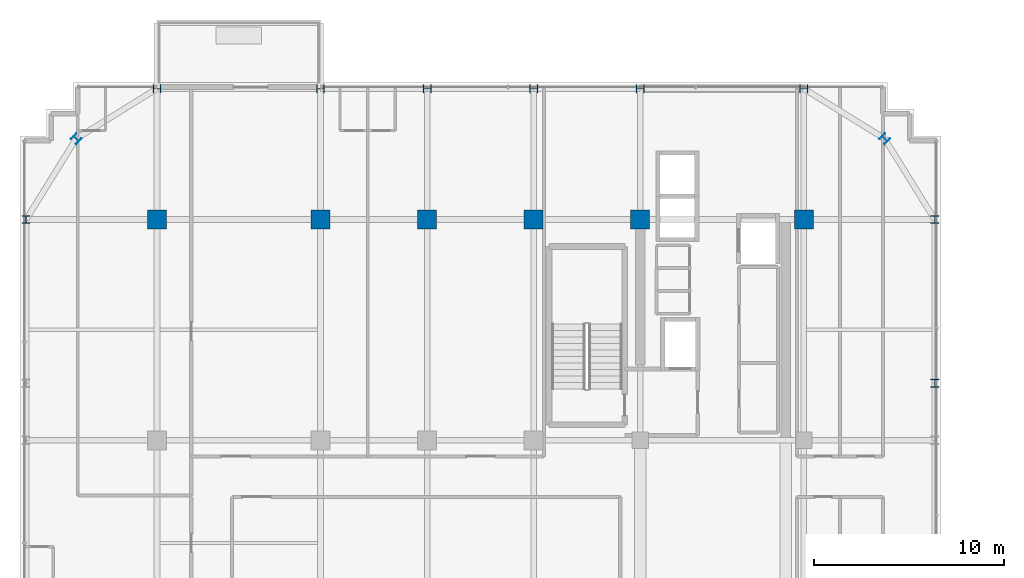
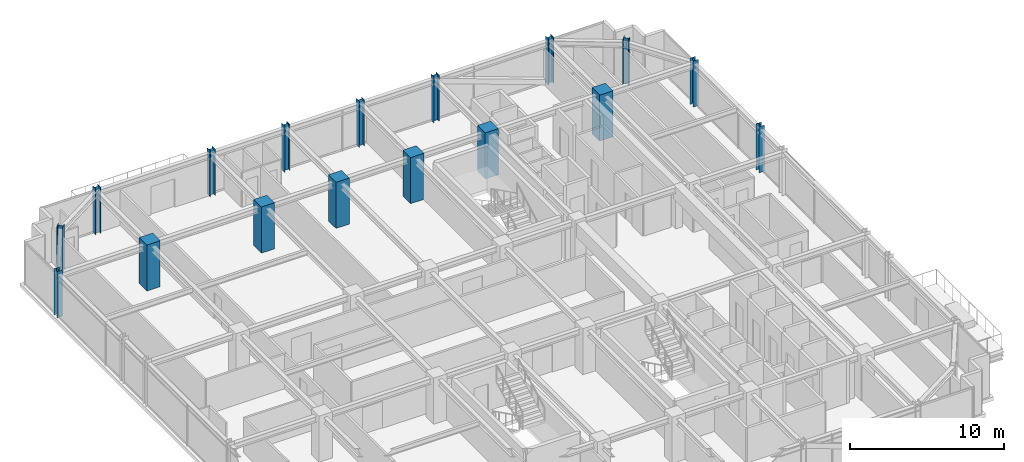
# One storey, part 3 of 36: 17 columns.
"""IFC4 building model written with IfcOpenShell, lengths in metres."""

import ifcopenshell
import ifcopenshell.guid

model = None  # the IFC model being written
_history = None  # IfcOwnerHistory: only IFC2X3 demands one
_inside = {}  # id of a spatial element -> (the spatial element, [elements in it])
_under = {}  # id of a project, library or spatial element -> (it, [spatial elements below it])
_declared = {}  # id of a project -> (the project, [libraries it declares])
_typed = {}  # id of a type object -> (the type object, [elements of that type])
_made_of = {}  # id of a material, layer set ... -> (it, [elements and type objects made of it])


def new_model(schema):
    """Start an empty IFC model of exactly this schema.

    Asked for "IFC4X3", IfcOpenShell would pick the latest addendum, in which some entities
    have other attributes; the version numbers below select the first issue.
    IFC2X3 requires an IfcOwnerHistory on every rooted entity: one is made here for all.
    """
    global model, _history
    if schema == "IFC4X3":
        model = ifcopenshell.file(schema_version=(4, 3, 0, 0))
    else:
        model = ifcopenshell.file(schema=schema)
    _inside.clear()
    _under.clear()
    _declared.clear()
    _typed.clear()
    _made_of.clear()
    _history = None
    if model.schema == "IFC2X3":
        org = make("IfcOrganization", Name="unknown")
        user = make(
            "IfcPersonAndOrganization",
            ThePerson=make("IfcPerson", FamilyName="unknown"),
            TheOrganization=org,
        )
        app = make(
            "IfcApplication",
            ApplicationDeveloper=org,
            Version="unknown",
            ApplicationFullName="unknown",
            ApplicationIdentifier="unknown",
        )
        _history = make(
            "IfcOwnerHistory",
            OwningUser=user,
            OwningApplication=app,
            ChangeAction="ADDED",
            CreationDate=0,
        )
    return model


def make(cls, **values):
    """One entity of the class cls with the attributes given. An attribute that is None is left unset."""
    return model.create_entity(
        cls, **{name: value for name, value in values.items() if value is not None}
    )


def rooted(cls, **values):
    """An entity with a GlobalId (a new one), such as an element, a storey or a relation."""
    return make(cls, GlobalId=ifcopenshell.guid.new(), OwnerHistory=_history, **values)


def si_unit(unit_type, name, prefix=None):
    """IfcSIUnit, for example si_unit("LENGTHUNIT", "METRE", prefix="MILLI")."""
    return make("IfcSIUnit", UnitType=unit_type, Prefix=prefix, Name=name)


def assignment(units):
    """IfcUnitAssignment: the units of a project."""
    return None if units is None else make("IfcUnitAssignment", Units=units)


def point(xyz):
    """IfcCartesianPoint."""
    return None if xyz is None else make("IfcCartesianPoint", Coordinates=xyz)


def direction(xyz):
    """IfcDirection."""
    return None if xyz is None else make("IfcDirection", DirectionRatios=xyz)


def frame(location, z_axis=None, x_axis=None):
    """IfcAxis2Placement3D, a coordinate frame: its origin and axes. An axis left out is left unset."""
    return make(
        "IfcAxis2Placement3D",
        Location=point(location),
        Axis=direction(z_axis),
        RefDirection=direction(x_axis),
    )


def frame_2d(location, x_axis=None):
    """IfcAxis2Placement2D, a coordinate frame in the plane: its origin and x axis."""
    return make(
        "IfcAxis2Placement2D", Location=point(location), RefDirection=direction(x_axis)
    )


def origin():
    """The frame at (0, 0, 0) with its axes left unset."""
    return frame((0.0, 0.0, 0.0))


def origin_2d():
    """The frame at (0, 0) in the plane with its x axis left unset."""
    return frame_2d((0.0, 0.0))


def place(relative_to, where):
    """IfcLocalPlacement: puts the frame where relative to a parent placement (None: the world)."""
    return make(
        "IfcLocalPlacement", PlacementRelTo=relative_to, RelativePlacement=where
    )


def context(
    kind, dimensions, precision=None, world=None, true_north=None, identifier=None
):
    """IfcGeometricRepresentationContext, for example the 3D "Model" context."""
    return make(
        "IfcGeometricRepresentationContext",
        ContextIdentifier=identifier,
        ContextType=kind,
        CoordinateSpaceDimension=dimensions,
        Precision=precision,
        WorldCoordinateSystem=world,
        TrueNorth=true_north,
    )


def subcontext(parent, identifier, kind, view, scale=None):
    """IfcGeometricRepresentationSubContext, for example "Body" below "Model"."""
    return make(
        "IfcGeometricRepresentationSubContext",
        ContextIdentifier=identifier,
        ContextType=kind,
        ParentContext=parent,
        TargetScale=scale,
        TargetView=view,
    )


def project(units=None, contexts=None):
    """IfcProject with its units and contexts."""
    return rooted(
        "IfcProject",
        Name="project",
        RepresentationContexts=contexts,
        UnitsInContext=assignment(units),
    )


def spatial(cls, under=None, at=None, **own):
    """A site, building, storey or space (cls), placed at a placement, below another one or the project."""
    s = rooted(cls, ObjectPlacement=at, **own)
    if under is not None:
        _under.setdefault(under.id(), (under, []))[1].append(s)
    return s


def profile(cls, at=None, kind="AREA", **sizes):
    """A parametric profile (cls). Its sizes go by their IFC names, for example OverallWidth=200.0."""
    return make(cls, ProfileType=kind, Position=at, **sizes)


def rectangle(**sizes):
    """IfcRectangleProfileDef."""
    return profile("IfcRectangleProfileDef", **sizes)


def i_section(**sizes):
    """IfcIShapeProfileDef."""
    return profile("IfcIShapeProfileDef", **sizes)


def extrude(swept, where, along, depth):
    """IfcExtrudedAreaSolid: the profile swept, set in the frame where, extruded along a direction by depth."""
    return make(
        "IfcExtrudedAreaSolid",
        SweptArea=swept,
        Position=where,
        ExtrudedDirection=direction(along),
        Depth=depth,
    )


def shape(context_of_items, identifier, shape_type, items):
    """IfcShapeRepresentation: the items that make up one representation, for example the "Body"."""
    return make(
        "IfcShapeRepresentation",
        ContextOfItems=context_of_items,
        RepresentationIdentifier=identifier,
        RepresentationType=shape_type,
        Items=items,
    )


def source(mapping_origin, context_of_items, identifier, shape_type, items):
    """IfcRepresentationMap: a shape defined once, which mapped items show again and again."""
    return make(
        "IfcRepresentationMap",
        MappingOrigin=mapping_origin,
        MappedRepresentation=shape(context_of_items, identifier, shape_type, items),
    )


def transform(
    local_origin,
    x_axis=None,
    y_axis=None,
    z_axis=None,
    scale=None,
    scale2=None,
    scale3=None,
    uniform=True,
):
    """IfcCartesianTransformationOperator3D, or its non-uniform kind. x_axis, y_axis, z_axis: its Axis1, 2, 3."""
    if uniform:
        return make(
            "IfcCartesianTransformationOperator3D",
            Axis1=direction(x_axis),
            Axis2=direction(y_axis),
            LocalOrigin=point(local_origin),
            Scale=scale,
            Axis3=direction(z_axis),
        )
    return make(
        "IfcCartesianTransformationOperator3DnonUniform",
        Axis1=direction(x_axis),
        Axis2=direction(y_axis),
        LocalOrigin=point(local_origin),
        Scale=scale,
        Axis3=direction(z_axis),
        Scale2=scale2,
        Scale3=scale3,
    )


def mapped(mapping_source, mapping_target):
    """IfcMappedItem: shows the shape of a source again, moved by a transform."""
    return make(
        "IfcMappedItem", MappingSource=mapping_source, MappingTarget=mapping_target
    )


def material(Name=None, Category=None):
    """IfcMaterial."""
    return make("IfcMaterial", Name=Name, Category=Category)


def material_profile(
    of_material, cross_section, Name=None, Category=None, Priority=None
):
    """IfcMaterialProfile: a cross section and its material."""
    return make(
        "IfcMaterialProfile",
        Name=Name,
        Material=of_material,
        Profile=cross_section,
        Priority=Priority,
        Category=Category,
    )


def profile_set(profiles, Name=None, composite=None):
    """IfcMaterialProfileSet."""
    return make(
        "IfcMaterialProfileSet",
        Name=Name,
        MaterialProfiles=profiles,
        CompositeProfile=composite,
    )


def made_of(thing, what):
    """Note that an element or type object is made of a material, layer set ...; save() writes the relation."""
    if what is not None:
        _made_of.setdefault(what.id(), (what, []))[1].append(thing)
    return thing


def type_object(cls, material=None, **own):
    """A type object (cls), such as IfcWallType, which elements share."""
    return made_of(rooted(cls, **own), material)


def element(
    cls,
    number,
    at=None,
    inside=None,
    cuts=None,
    type_object=None,
    material=None,
    context=None,
    identifier="Body",
    shape_type=None,
    held_by="IfcProductDefinitionShape",
    body=None,
    shapes=None,
    **own,
):
    """One element of the class cls, such as IfcWall. Its Tag is "e" and its number.

    at: its placement. inside: the storey or other place that contains it. cuts: it is an
    opening in that element (IfcRelVoidsElement). A single representation is given by context,
    identifier, shape_type and body (its items); several are given by shapes. held_by: the class
    of the entity that holds the representations. save() writes the other relations.
    """
    e = rooted(cls, Tag="e%d" % number, ObjectPlacement=at, **own)
    if body is not None:
        shapes = [shape(context, identifier, shape_type, body)]
    if shapes is not None:
        e.Representation = make(held_by, Representations=shapes)
    if inside is not None:
        _inside.setdefault(inside.id(), (inside, []))[1].append(e)
    if cuts is not None:
        rooted(
            "IfcRelVoidsElement", RelatingBuildingElement=cuts, RelatedOpeningElement=e
        )
    if type_object is not None:
        _typed.setdefault(type_object.id(), (type_object, []))[1].append(e)
    return made_of(e, material)


def aggregate(whole, parts):
    """IfcRelAggregates: a whole, such as a stair, and the parts it consists of."""
    return rooted("IfcRelAggregates", RelatingObject=whole, RelatedObjects=parts)


def save(model, path):
    """Write the relations noted so far, then the file.

    IfcRelAggregates (storeys below a building ...), IfcRelContainedInSpatialStructure (elements
    in a storey), IfcRelDefinesByType, IfcRelAssociatesMaterial and IfcRelDeclares: one each for
    every whole, place, type object, material and project.
    """
    for whole, parts in _under.values():
        aggregate(whole, parts)
    for where, things in _inside.values():
        rooted(
            "IfcRelContainedInSpatialStructure",
            RelatedElements=things,
            RelatingStructure=where,
        )
    for kind, things in _typed.values():
        rooted("IfcRelDefinesByType", RelatedObjects=things, RelatingType=kind)
    for what, things in _made_of.values():
        rooted("IfcRelAssociatesMaterial", RelatedObjects=things, RelatingMaterial=what)
    for by, libraries in _declared.values():
        rooted("IfcRelDeclares", RelatingContext=by, RelatedDefinitions=libraries)
    model.write(path)


model = new_model("IFC4")

# Units and contexts
model_context = context("Model", 3, precision=1e-05, world=origin(), true_north=direction((0.0, 1.0)))
body_context = subcontext(model_context, "Body", "Model", "MODEL_VIEW")
ifc_project = project(units=[si_unit("LENGTHUNIT", "METRE"), si_unit("AREAUNIT", "SQUARE_METRE"), si_unit("VOLUMEUNIT", "CUBIC_METRE"), si_unit("PLANEANGLEUNIT", "RADIAN"), si_unit("MASSUNIT", "GRAM", prefix="KILO")], contexts=[model_context])

# Site, building, storey
site_placement = place(None, origin())
site = spatial("IfcSite", under=ifc_project, at=site_placement, CompositionType="ELEMENT")
building_placement = place(site_placement, origin())
building = spatial("IfcBuilding", under=site, at=building_placement, Name="Nahalor Promenade Grand Hotel", CompositionType="ELEMENT")
storey_placement = place(building_placement, frame((0.0, 0.0, 234.5)))
storey = spatial("IfcBuildingStorey", under=building, at=storey_placement, Name="L60", CompositionType="ELEMENT", Elevation=234.5)

# Columns
ifc_material_1 = material(Name="Concrete B-60 (C50/60)", Category="concrete")
ifc_material_profile_1 = material_profile(ifc_material_1, rectangle(XDim=1.0, YDim=1.0, at=origin_2d()), Name="RC 1000x1000")
ifc_profile_set_1 = profile_set([ifc_material_profile_1], Name="Concrete B-60 (C50/60)")
column_type_1 = type_object("IfcColumnType", Name="Col-RC-1000", PredefinedType="COLUMN", material=ifc_profile_set_1)
shared_shape_1 = source(origin(), body_context, "Body", "SweptSolid", [
    extrude(rectangle(XDim=1.0, YDim=1.0, at=origin_2d()), origin(), (0.0, 0.0, 1.0), 3.655029296875),
])
for number, where, z_axis, x_axis, name in (
    (1, (-17.0, 17.0, 0.0), (0.0, 0.0, 1.0), (1.0, 0.0, 0.0), "COL-L60-I03"),
    (2, (-8.39990234375, 17.0, 0.0), (0.0, 0.0, 1.0), (1.0, 0.0, 0.0), "COL-L60-I13"),
    (3, (-2.800048828125, 17.0, 0.0), (0.0, 0.0, 1.0), (1.0, 0.0, 0.0), "COL-L60-I23"),
    (4, (2.800048828125, 17.0, 0.0), (0.0, 0.0, 1.0), (1.0, 0.0, 0.0), "COL-L60-I33"),
    (5, (8.39990234375, 17.0, 0.0), (0.0, 0.0, 1.0), (1.0, 0.0, 0.0), "COL-L60-I43"),
    (6, (17.0, 17.0, 0.0), (0.0, 0.0, 1.0), (1.0, 0.0, 0.0), "COL-L60-I53"),
):
    element("IfcColumn", number, at=place(storey_placement, frame(where, z_axis=z_axis, x_axis=x_axis)), inside=storey, type_object=column_type_1, Name=name, PredefinedType="COLUMN", context=body_context, shape_type="MappedRepresentation", body=[
        mapped(shared_shape_1, transform((0.0, 0.0, 0.0), scale=1.0)),
    ])
ifc_material_2 = material(Name="Steel S355JR", Category="steel")
ifc_material_profile_2 = material_profile(ifc_material_2, i_section(OverallWidth=0.401, OverallDepth=0.406, WebThickness=0.0161, FlangeThickness=0.025, at=origin_2d()), Name="HD 400x314")
ifc_profile_set_2 = profile_set([ifc_material_profile_2], Name="Steel S355JR")
column_type_2 = type_object("IfcColumnType", Name="Col-Steel-HD314", PredefinedType="COLUMN", material=ifc_profile_set_2)
shared_shape_2 = source(origin(), body_context, "Body", "SweptSolid", [
    extrude(i_section(OverallWidth=0.401, OverallDepth=0.406, WebThickness=0.0161, FlangeThickness=0.025, at=origin_2d()), origin(), (0.0, 0.0, 1.0), 3.655029296875),
])
for number, where, z_axis, x_axis, name in (
    (7, (23.8798828125, 8.39990234375, 0.0), (0.0, 0.0, 1.0), (1.0, 0.0, 0.0), "COL-L60-PW-E4"),
    (8, (-23.8798828125, 17.0, 0.0), (0.0, 0.0, 1.0), (1.0, 0.0, 0.0), "COL-L60-PW-W5"),
    (9, (23.8798828125, 17.0, 0.0), (0.0, 0.0, 1.0), (1.0, 0.0, 0.0), "COL-L60-PW-E5"),
    (10, (-17.0, 23.8798828125, 0.0), (0.0, 0.0, 1.0), (0.0, 1.0, 0.0), "COL-L60-PN-N0"),
    (11, (-8.39990234375, 23.8798828125, 0.0), (0.0, 0.0, 1.0), (0.0, 1.0, 0.0), "COL-L60-PN-N1"),
    (12, (-2.800048828125, 23.8798828125, 0.0), (0.0, 0.0, 1.0), (0.0, 1.0, 0.0), "COL-L60-PN-N2"),
    (13, (2.800048828125, 23.8798828125, 0.0), (0.0, 0.0, 1.0), (0.0, 1.0, 0.0), "COL-L60-PN-N3"),
    (14, (8.39990234375, 23.8798828125, 0.0), (0.0, 0.0, 1.0), (0.0, 1.0, 0.0), "COL-L60-PN-N4"),
    (15, (17.0, 23.8798828125, 0.0), (0.0, 0.0, 1.0), (0.0, 1.0, 0.0), "COL-L60-PN-N5"),
    (16, (-21.25, 21.25, 0.0), (0.0, 0.0, 1.0), (0.707106781187, 0.707106781187, 0.0), "COL-L60-CRN-NW"),
    (17, (21.25, 21.25, 0.0), (0.0, 0.0, 1.0), (0.707106781187, 0.707106781187, 0.0), "COL-L60-CRN-NE"),
):
    element("IfcColumn", number, at=place(storey_placement, frame(where, z_axis=z_axis, x_axis=x_axis)), inside=storey, type_object=column_type_2, Name=name, PredefinedType="COLUMN", context=body_context, shape_type="MappedRepresentation", body=[
        mapped(shared_shape_2, transform((0.0, 0.0, 0.0), scale=1.0)),
    ])

save(model, "model.ifc")
